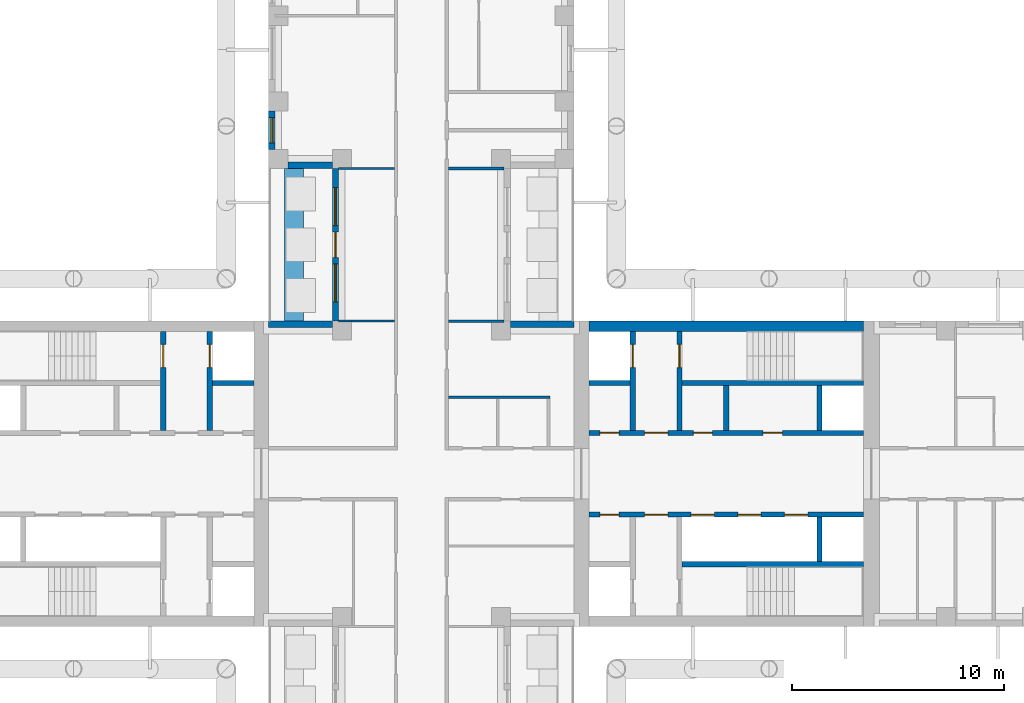
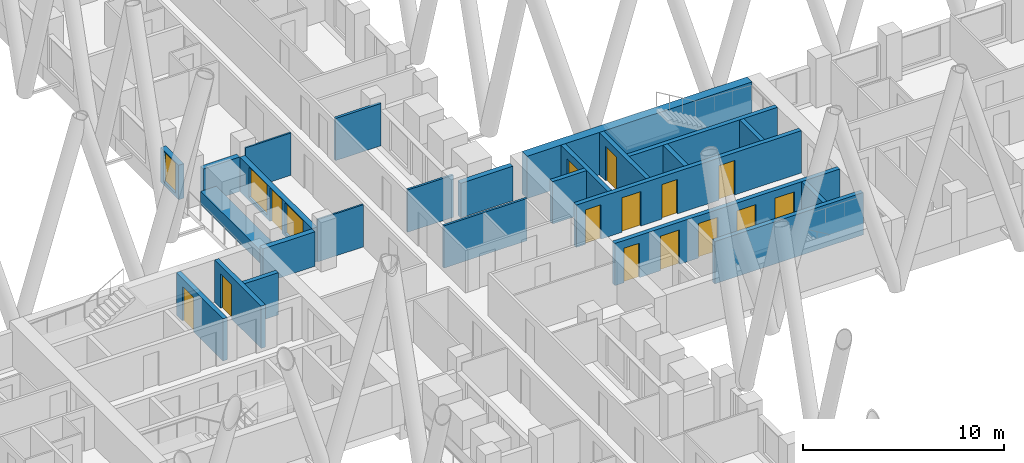
# One storey, part 9 of 16: 25 walls, 14 doors, 3 windows, 17 openings.
"""IFC4 building model written with IfcOpenShell, lengths in metres."""

from ifc_helpers import new_model, si_unit, direction, frame, frame_2d, origin, place, context, subcontext, project, spatial, rectangle, extrude, material, layer, layer_set, type_object, element, fill, save


model = new_model("IFC4")

# Units and contexts
model_context = context("Model", 3, precision=1e-05, world=origin(), true_north=direction((0.0, 1.0)))
body_context = subcontext(model_context, "Body", "Model", "MODEL_VIEW")
ifc_project = project(units=[si_unit("LENGTHUNIT", "METRE"), si_unit("AREAUNIT", "SQUARE_METRE"), si_unit("VOLUMEUNIT", "CUBIC_METRE"), si_unit("PLANEANGLEUNIT", "RADIAN"), si_unit("MASSUNIT", "GRAM", prefix="KILO")], contexts=[model_context])

# Site, building, storey
site_placement = place(None, origin())
site = spatial("IfcSite", under=ifc_project, at=site_placement, CompositionType="ELEMENT")
building_placement = place(site_placement, origin())
building = spatial("IfcBuilding", under=site, at=building_placement, Name="Fustian Cross Tower", CompositionType="ELEMENT")
storey_placement = place(building_placement, frame((0.0, 0.0, 44.699951171875)))
storey = spatial("IfcBuildingStorey", under=building, at=storey_placement, Name="L13", CompositionType="ELEMENT", Elevation=44.699951171875)

# Walls
ifc_material_1 = material(Name="Plasterboard on steel stud", Category="steel")
ifc_layer_1 = layer(ifc_material_1, 0.14990234375)
ifc_layer_set_1 = layer_set([ifc_layer_1], Name="Plasterboard on steel stud")
wall_type_1 = type_object("IfcWallType", Name="COMPARTMENT WALL 150 EI 60", PredefinedType="PARTITIONING", material=ifc_layer_set_1)
wall_1_placement = place(storey_placement, frame((1.27490234375, 14.39990234375, 0.0), z_axis=(0.0, 0.0, 1.0), x_axis=(1.0, 0.0, 0.0)))
element("IfcWall", 1, at=wall_1_placement, inside=storey, type_object=wall_type_1, Name="Partition 55", PredefinedType="PARTITIONING", context=body_context, shape_type="SweptSolid", body=[
    extrude(rectangle(XDim=2.625, YDim=0.14990234375, at=frame_2d((1.3125, 0.0))), origin(), (0.0, 0.0, 1.0), 2.574951171875),
])
ifc_material_2 = material(Name="Concrete C80/95", Category="concrete")
ifc_layer_2 = layer(ifc_material_2, 0.5)
ifc_layer_set_2 = layer_set([ifc_layer_2], Name="Concrete C80/95")
wall_type_2 = type_object("IfcWallType", Name="CORE FACADE WALL 500 C80/95", PredefinedType="SHEAR", material=ifc_layer_set_2)
wall_2_placement = place(storey_placement, frame((7.89990234375, 6.949951171875, 0.0), z_axis=(0.0, 0.0, 1.0), x_axis=(1.0, 0.0, 0.0)))
element("IfcWall", 2, at=wall_2_placement, inside=storey, type_object=wall_type_2, Name="Core facade wall", PredefinedType="SHEAR", context=body_context, shape_type="SweptSolid", body=[
    extrude(rectangle(XDim=12.9501953125, YDim=0.5, at=frame_2d((6.47509765625, 0.0))), origin(), (0.0, 0.0, 1.0), 2.574951171875),
])

# Wall, openings, doors
ifc_material_3 = material(Name="Concrete C50/60", Category="concrete")
ifc_layer_3 = layer(ifc_material_3, 0.25)
ifc_layer_set_3 = layer_set([ifc_layer_3], Name="Concrete C50/60")
wall_type_3 = type_object("IfcWallType", Name="CORE LOBBY WALL 250 C50/60", PredefinedType="SHEAR", material=ifc_layer_set_3)
wall_3_placement = place(storey_placement, frame((7.89990234375, 1.925048828125, 0.0), z_axis=(0.0, 0.0, 1.0), x_axis=(1.0, 0.0, 0.0)))
wall_3 = element("IfcWall", 3, at=wall_3_placement, inside=storey, type_object=wall_type_3, Name="Core lobby wall", PredefinedType="SHEAR", context=body_context, shape_type="SweptSolid", body=[
    extrude(rectangle(XDim=12.9501953125, YDim=0.25, at=frame_2d((6.47509765625, 0.0))), origin(), (0.0, 0.0, 1.0), 2.574951171875),
])
opening_1_placement = place(wall_3_placement, frame((0.52490234375, 0.0, 0.0)))
opening_1 = element("IfcOpeningElement", 4, at=opening_1_placement, cuts=wall_3, Name="Opening CD-05-08", PredefinedType="OPENING", context=body_context, shape_type="SweptSolid", body=[
    extrude(rectangle(XDim=0.89990234375, YDim=2.10009765625, at=frame_2d((0.449951171875, 1.050048828125))), frame((0.0, 0.135009765625, 0.0), z_axis=(0.0, -1.0, 0.0), x_axis=(1.0, 0.0, 0.0)), (0.0, 0.0, 1.0), 0.27001953125),
])
opening_2_placement = place(wall_3_placement, frame((2.625, 0.0, 0.0)))
opening_2 = element("IfcOpeningElement", 5, at=opening_2_placement, cuts=wall_3, Name="Opening CD-05-10", PredefinedType="OPENING", context=body_context, shape_type="SweptSolid", body=[
    extrude(rectangle(XDim=1.10009765625, YDim=2.10009765625, at=frame_2d((0.550048828125, 1.050048828125))), frame((0.0, 0.135009765625, 0.0), z_axis=(0.0, -1.0, 0.0), x_axis=(1.0, 0.0, 0.0)), (0.0, 0.0, 1.0), 0.27001953125),
])
opening_3_placement = place(wall_3_placement, frame((4.925048828125, 0.0, 0.0)))
opening_3 = element("IfcOpeningElement", 6, at=opening_3_placement, cuts=wall_3, Name="Opening CD-05-14", PredefinedType="OPENING", context=body_context, shape_type="SweptSolid", body=[
    extrude(rectangle(XDim=0.89990234375, YDim=2.10009765625, at=frame_2d((0.449951171875, 1.050048828125))), frame((0.0, 0.135009765625, 0.0), z_axis=(0.0, -1.0, 0.0), x_axis=(1.0, 0.0, 0.0)), (0.0, 0.0, 1.0), 0.27001953125),
])
opening_4_placement = place(wall_3_placement, frame((8.22509765625, 0.0, 0.0)))
opening_4 = element("IfcOpeningElement", 7, at=opening_4_placement, cuts=wall_3, Name="Opening CD-05-15", PredefinedType="OPENING", context=body_context, shape_type="SweptSolid", body=[
    extrude(rectangle(XDim=0.89990234375, YDim=2.10009765625, at=frame_2d((0.449951171875, 1.050048828125))), frame((0.0, 0.135009765625, 0.0), z_axis=(0.0, -1.0, 0.0), x_axis=(1.0, 0.0, 0.0)), (0.0, 0.0, 1.0), 0.27001953125),
])
ifc_material_4 = material(Name="Steel", Category="steel")
door_type_1 = type_object("IfcDoorType", Name="FIRE DOOR FD30S 900X2100", OperationType="SINGLE_SWING_LEFT", PredefinedType="DOOR", material=ifc_material_4)
door_1_placement = place(opening_3_placement, origin())
door_1 = element("IfcDoor", 8, at=door_1_placement, inside=storey, type_object=door_type_1, Name="Core door CD-05-14", OperationType="SINGLE_SWING_LEFT", OverallHeight=2.10009765625, OverallWidth=0.89990234375, PredefinedType="DOOR", context=body_context, shape_type="SweptSolid", body=[
    extrude(rectangle(XDim=0.89990234375, YDim=2.10009765625, at=frame_2d((0.449951171875, 1.050048828125))), frame((0.0, 0.02490234375, 0.0), z_axis=(0.0, -1.0, 0.0), x_axis=(1.0, 0.0, 0.0)), (0.0, 0.0, 1.0), 0.050048828125),
])
fill(opening_3, door_1)
door_2_placement = place(opening_4_placement, origin())
door_2 = element("IfcDoor", 9, at=door_2_placement, inside=storey, type_object=door_type_1, Name="Core door CD-05-15", OperationType="SINGLE_SWING_RIGHT", OverallHeight=2.10009765625, OverallWidth=0.89990234375, PredefinedType="DOOR", context=body_context, shape_type="SweptSolid", body=[
    extrude(rectangle(XDim=0.89990234375, YDim=2.10009765625, at=frame_2d((0.449951171875, 1.050048828125))), frame((0.0, 0.02490234375, 0.0), z_axis=(0.0, -1.0, 0.0), x_axis=(1.0, 0.0, 0.0)), (0.0, 0.0, 1.0), 0.050048828125),
])
fill(opening_4, door_2)
ifc_material_5 = material(Name="Steel", Category="steel")
door_type_2 = type_object("IfcDoorType", Name="FIRE DOOR FD60S 1100X2100", OperationType="SINGLE_SWING_LEFT", PredefinedType="DOOR", material=ifc_material_5)
door_3_placement = place(opening_2_placement, frame((1.10009765625, 0.0, 0.0), z_axis=(0.0, 0.0, 1.0), x_axis=(-1.0, 0.0, 0.0)))
door_3 = element("IfcDoor", 10, at=door_3_placement, inside=storey, type_object=door_type_2, Name="Core door CD-05-10", OperationType="SINGLE_SWING_RIGHT", OverallHeight=2.10009765625, OverallWidth=1.10009765625, PredefinedType="DOOR", context=body_context, shape_type="SweptSolid", body=[
    extrude(rectangle(XDim=1.10009765625, YDim=2.10009765625, at=frame_2d((0.550048828125, 1.050048828125))), frame((0.0, 0.02490234375, 0.0), z_axis=(0.0, -1.0, 0.0), x_axis=(1.0, 0.0, 0.0)), (0.0, 0.0, 1.0), 0.050048828125),
])
fill(opening_2, door_3)
ifc_material_6 = material(Name="Steel", Category="steel")
door_type_3 = type_object("IfcDoorType", Name="FIRE DOOR FD60S 900X2100", OperationType="SINGLE_SWING_LEFT", PredefinedType="DOOR", material=ifc_material_6)
door_4_placement = place(opening_1_placement, origin())
door_4 = element("IfcDoor", 11, at=door_4_placement, inside=storey, type_object=door_type_3, Name="Core door CD-05-08", OperationType="SINGLE_SWING_LEFT", OverallHeight=2.10009765625, OverallWidth=0.89990234375, PredefinedType="DOOR", context=body_context, shape_type="SweptSolid", body=[
    extrude(rectangle(XDim=0.89990234375, YDim=2.10009765625, at=frame_2d((0.449951171875, 1.050048828125))), frame((0.0, 0.02490234375, 0.0), z_axis=(0.0, -1.0, 0.0), x_axis=(1.0, 0.0, 0.0)), (0.0, 0.0, 1.0), 0.050048828125),
])
fill(opening_1, door_4)

wall_4_placement = place(storey_placement, frame((7.89990234375, -1.925048828125, 0.0), z_axis=(0.0, 0.0, 1.0), x_axis=(1.0, 0.0, 0.0)))
wall_4 = element("IfcWall", 12, at=wall_4_placement, inside=storey, type_object=wall_type_3, Name="Core lobby wall", PredefinedType="SHEAR", context=body_context, shape_type="SweptSolid", body=[
    extrude(rectangle(XDim=12.9501953125, YDim=0.25, at=frame_2d((6.47509765625, 0.0))), origin(), (0.0, 0.0, 1.0), 2.574951171875),
])
opening_5_placement = place(wall_4_placement, frame((4.824951171875, 0.0, 0.0)))
opening_5 = element("IfcOpeningElement", 13, at=opening_5_placement, cuts=wall_4, Name="Opening LD", PredefinedType="OPENING", context=body_context, shape_type="SweptSolid", body=[
    extrude(rectangle(XDim=1.10009765625, YDim=2.10009765625, at=frame_2d((0.550048828125, 1.050048828125))), frame((0.0, 0.135009765625, 0.0), z_axis=(0.0, -1.0, 0.0), x_axis=(1.0, 0.0, 0.0)), (0.0, 0.0, 1.0), 0.27001953125),
])
opening_6_placement = place(wall_4_placement, frame((7.02490234375, 0.0, 0.0)))
opening_6 = element("IfcOpeningElement", 14, at=opening_6_placement, cuts=wall_4, Name="Opening LD", PredefinedType="OPENING", context=body_context, shape_type="SweptSolid", body=[
    extrude(rectangle(XDim=1.10009765625, YDim=2.10009765625, at=frame_2d((0.550048828125, 1.050048828125))), frame((0.0, 0.135009765625, 0.0), z_axis=(0.0, -1.0, 0.0), x_axis=(1.0, 0.0, 0.0)), (0.0, 0.0, 1.0), 0.27001953125),
])
opening_7_placement = place(wall_4_placement, frame((9.22509765625, 0.0, 0.0)))
opening_7 = element("IfcOpeningElement", 15, at=opening_7_placement, cuts=wall_4, Name="Opening LD", PredefinedType="OPENING", context=body_context, shape_type="SweptSolid", body=[
    extrude(rectangle(XDim=1.10009765625, YDim=2.10009765625, at=frame_2d((0.550048828125, 1.050048828125))), frame((0.0, 0.135009765625, 0.0), z_axis=(0.0, -1.0, 0.0), x_axis=(1.0, 0.0, 0.0)), (0.0, 0.0, 1.0), 0.27001953125),
])
opening_8_placement = place(wall_4_placement, frame((0.52490234375, 0.0, 0.0)))
opening_8 = element("IfcOpeningElement", 16, at=opening_8_placement, cuts=wall_4, Name="Opening CD-05-09", PredefinedType="OPENING", context=body_context, shape_type="SweptSolid", body=[
    extrude(rectangle(XDim=0.89990234375, YDim=2.10009765625, at=frame_2d((0.449951171875, 1.050048828125))), frame((0.0, 0.135009765625, 0.0), z_axis=(0.0, -1.0, 0.0), x_axis=(1.0, 0.0, 0.0)), (0.0, 0.0, 1.0), 0.27001953125),
])
opening_9_placement = place(wall_4_placement, frame((2.625, 0.0, 0.0)))
opening_9 = element("IfcOpeningElement", 17, at=opening_9_placement, cuts=wall_4, Name="Opening CD-05-11", PredefinedType="OPENING", context=body_context, shape_type="SweptSolid", body=[
    extrude(rectangle(XDim=1.10009765625, YDim=2.10009765625, at=frame_2d((0.550048828125, 1.050048828125))), frame((0.0, 0.135009765625, 0.0), z_axis=(0.0, -1.0, 0.0), x_axis=(1.0, 0.0, 0.0)), (0.0, 0.0, 1.0), 0.27001953125),
])
ifc_material_7 = material(Name="Steel", Category="steel")
door_type_4 = type_object("IfcDoorType", Name="FIRE DOOR FD30S 1100X2100", OperationType="SINGLE_SWING_LEFT", PredefinedType="DOOR", material=ifc_material_7)
door_5_placement = place(opening_9_placement, frame((1.10009765625, 0.0, 0.0), z_axis=(0.0, 0.0, 1.0), x_axis=(-1.0, 0.0, 0.0)))
door_5 = element("IfcDoor", 18, at=door_5_placement, inside=storey, type_object=door_type_4, Name="Core door CD-05-11", OperationType="SINGLE_SWING_RIGHT", OverallHeight=2.10009765625, OverallWidth=1.10009765625, PredefinedType="DOOR", context=body_context, shape_type="SweptSolid", body=[
    extrude(rectangle(XDim=1.10009765625, YDim=2.10009765625, at=frame_2d((0.550048828125, 1.050048828125))), frame((0.0, 0.02490234375, 0.0), z_axis=(0.0, -1.0, 0.0), x_axis=(1.0, 0.0, 0.0)), (0.0, 0.0, 1.0), 0.050048828125),
])
fill(opening_9, door_5)
door_6_placement = place(opening_8_placement, frame((0.89990234375, 0.0, 0.0), z_axis=(0.0, 0.0, 1.0), x_axis=(-1.0, 0.0, 0.0)))
door_6 = element("IfcDoor", 19, at=door_6_placement, inside=storey, type_object=door_type_1, Name="Core door CD-05-09", OperationType="SINGLE_SWING_RIGHT", OverallHeight=2.10009765625, OverallWidth=0.89990234375, PredefinedType="DOOR", context=body_context, shape_type="SweptSolid", body=[
    extrude(rectangle(XDim=0.89990234375, YDim=2.10009765625, at=frame_2d((0.449951171875, 1.050048828125))), frame((0.0, 0.02490234375, 0.0), z_axis=(0.0, -1.0, 0.0), x_axis=(1.0, 0.0, 0.0)), (0.0, 0.0, 1.0), 0.050048828125),
])
fill(opening_8, door_6)
ifc_material_8 = material(Name="Stainless steel", Category="steel")
door_type_5 = type_object("IfcDoorType", Name="LIFT LANDING DOOR 1100X2100", OperationType="SLIDING_TO_LEFT", PredefinedType="DOOR", material=ifc_material_8)
door_7_placement = place(opening_5_placement, origin())
door_7 = element("IfcDoor", 20, at=door_7_placement, inside=storey, type_object=door_type_5, Name="Landing door LR1", OperationType="SLIDING_TO_LEFT", OverallHeight=2.10009765625, OverallWidth=1.10009765625, PredefinedType="DOOR", context=body_context, shape_type="SweptSolid", body=[
    extrude(rectangle(XDim=1.10009765625, YDim=2.10009765625, at=frame_2d((0.550048828125, 1.050048828125))), frame((0.0, 0.02490234375, 0.0), z_axis=(0.0, -1.0, 0.0), x_axis=(1.0, 0.0, 0.0)), (0.0, 0.0, 1.0), 0.050048828125),
])
fill(opening_5, door_7)
door_8_placement = place(opening_6_placement, origin())
door_8 = element("IfcDoor", 21, at=door_8_placement, inside=storey, type_object=door_type_5, Name="Landing door LR2", OperationType="SLIDING_TO_LEFT", OverallHeight=2.10009765625, OverallWidth=1.10009765625, PredefinedType="DOOR", context=body_context, shape_type="SweptSolid", body=[
    extrude(rectangle(XDim=1.10009765625, YDim=2.10009765625, at=frame_2d((0.550048828125, 1.050048828125))), frame((0.0, 0.02490234375, 0.0), z_axis=(0.0, -1.0, 0.0), x_axis=(1.0, 0.0, 0.0)), (0.0, 0.0, 1.0), 0.050048828125),
])
fill(opening_6, door_8)
door_9_placement = place(opening_7_placement, origin())
door_9 = element("IfcDoor", 22, at=door_9_placement, inside=storey, type_object=door_type_5, Name="Landing door LR3", OperationType="SLIDING_TO_LEFT", OverallHeight=2.10009765625, OverallWidth=1.10009765625, PredefinedType="DOOR", context=body_context, shape_type="SweptSolid", body=[
    extrude(rectangle(XDim=1.10009765625, YDim=2.10009765625, at=frame_2d((0.550048828125, 1.050048828125))), frame((0.0, 0.02490234375, 0.0), z_axis=(0.0, -1.0, 0.0), x_axis=(1.0, 0.0, 0.0)), (0.0, 0.0, 1.0), 0.050048828125),
])
fill(opening_7, door_9)

# Walls
ifc_material_9 = material(Name="Concrete C50/60", Category="concrete")
ifc_layer_4 = layer(ifc_material_9, 0.25)
ifc_layer_set_4 = layer_set([ifc_layer_4], Name="Concrete C50/60")
wall_type_4 = type_object("IfcWallType", Name="CORE SHAFT WALL 250 C50/60", PredefinedType="SHEAR", material=ifc_layer_set_4)
wall_5_placement = place(storey_placement, frame((7.89990234375, 4.27490234375, 0.0), z_axis=(0.0, 0.0, 1.0), x_axis=(1.0, 0.0, 0.0)))
element("IfcWall", 23, at=wall_5_placement, inside=storey, type_object=wall_type_4, Name="Core shaft wall", PredefinedType="SHEAR", context=body_context, shape_type="SweptSolid", body=[
    extrude(rectangle(XDim=1.9501953125, YDim=0.25, at=frame_2d((0.97509765625, 0.0))), origin(), (0.0, 0.0, 1.0), 2.574951171875),
])
wall_6_placement = place(storey_placement, frame((12.300048828125, 4.27490234375, 0.0), z_axis=(0.0, 0.0, 1.0), x_axis=(1.0, 0.0, 0.0)))
element("IfcWall", 24, at=wall_6_placement, inside=storey, type_object=wall_type_4, Name="Core shaft wall", PredefinedType="SHEAR", context=body_context, shape_type="SweptSolid", body=[
    extrude(rectangle(XDim=8.550048828125, YDim=0.25, at=frame_2d((4.27490234375, 0.0))), origin(), (0.0, 0.0, 1.0), 2.574951171875),
])

# Wall, opening, door
wall_7_placement = place(storey_placement, frame((9.97509765625, 2.050048828125, 0.0), z_axis=(0.0, 0.0, 1.0), x_axis=(0.0, 1.0, 0.0)))
wall_7 = element("IfcWall", 25, at=wall_7_placement, inside=storey, type_object=wall_type_4, Name="Core shaft wall", PredefinedType="SHEAR", context=body_context, shape_type="SweptSolid", body=[
    extrude(rectangle(XDim=4.64990234375, YDim=0.25, at=frame_2d((2.324951171875, 0.0))), origin(), (0.0, 0.0, 1.0), 2.574951171875),
])
opening_10_placement = place(wall_7_placement, frame((2.949951171875, 0.0, 0.0)))
opening_10 = element("IfcOpeningElement", 26, at=opening_10_placement, cuts=wall_7, Name="Opening LD", PredefinedType="OPENING", context=body_context, shape_type="SweptSolid", body=[
    extrude(rectangle(XDim=1.10009765625, YDim=2.10009765625, at=frame_2d((0.550048828125, 1.050048828125))), frame((0.0, 0.135009765625, 0.0), z_axis=(0.0, -1.0, 0.0), x_axis=(1.0, 0.0, 0.0)), (0.0, 0.0, 1.0), 0.27001953125),
])
door_10_placement = place(opening_10_placement, origin())
door_10 = element("IfcDoor", 27, at=door_10_placement, inside=storey, type_object=door_type_5, Name="Landing door FL1", OperationType="SLIDING_TO_LEFT", OverallHeight=2.10009765625, OverallWidth=1.10009765625, PredefinedType="DOOR", context=body_context, shape_type="SweptSolid", body=[
    extrude(rectangle(XDim=1.10009765625, YDim=2.10009765625, at=frame_2d((0.550048828125, 1.050048828125))), frame((0.0, 0.02490234375, 0.0), z_axis=(0.0, -1.0, 0.0), x_axis=(1.0, 0.0, 0.0)), (0.0, 0.0, 1.0), 0.050048828125),
])
fill(opening_10, door_10)

wall_8_placement = place(storey_placement, frame((12.175048828125, 2.050048828125, 0.0), z_axis=(0.0, 0.0, 1.0), x_axis=(0.0, 1.0, 0.0)))
wall_8 = element("IfcWall", 28, at=wall_8_placement, inside=storey, type_object=wall_type_4, Name="Core shaft wall", PredefinedType="SHEAR", context=body_context, shape_type="SweptSolid", body=[
    extrude(rectangle(XDim=4.64990234375, YDim=0.25, at=frame_2d((2.324951171875, 0.0))), origin(), (0.0, 0.0, 1.0), 2.574951171875),
])
opening_11_placement = place(wall_8_placement, frame((2.949951171875, 0.0, 0.0)))
opening_11 = element("IfcOpeningElement", 29, at=opening_11_placement, cuts=wall_8, Name="Opening CD-05-06", PredefinedType="OPENING", context=body_context, shape_type="SweptSolid", body=[
    extrude(rectangle(XDim=1.10009765625, YDim=2.10009765625, at=frame_2d((0.550048828125, 1.050048828125))), frame((0.0, 0.135009765625, 0.0), z_axis=(0.0, -1.0, 0.0), x_axis=(1.0, 0.0, 0.0)), (0.0, 0.0, 1.0), 0.27001953125),
])
door_11_placement = place(opening_11_placement, frame((1.10009765625, 0.0, 0.0), z_axis=(0.0, 0.0, 1.0), x_axis=(-1.0, 0.0, 0.0)))
door_11 = element("IfcDoor", 30, at=door_11_placement, inside=storey, type_object=door_type_2, Name="Core door CD-05-06", OperationType="SINGLE_SWING_RIGHT", OverallHeight=2.10009765625, OverallWidth=1.10009765625, PredefinedType="DOOR", context=body_context, shape_type="SweptSolid", body=[
    extrude(rectangle(XDim=1.10009765625, YDim=2.10009765625, at=frame_2d((0.550048828125, 1.050048828125))), frame((0.0, 0.02490234375, 0.0), z_axis=(0.0, -1.0, 0.0), x_axis=(1.0, 0.0, 0.0)), (0.0, 0.0, 1.0), 0.050048828125),
])
fill(opening_11, door_11)

# Walls
wall_9_placement = place(storey_placement, frame((12.300048828125, -4.27490234375, 0.0), z_axis=(0.0, 0.0, 1.0), x_axis=(1.0, 0.0, 0.0)))
element("IfcWall", 31, at=wall_9_placement, inside=storey, type_object=wall_type_4, Name="Core shaft wall", PredefinedType="SHEAR", context=body_context, shape_type="SweptSolid", body=[
    extrude(rectangle(XDim=8.550048828125, YDim=0.25, at=frame_2d((4.27490234375, 0.0))), origin(), (0.0, 0.0, 1.0), 2.574951171875),
])
wall_10_placement = place(storey_placement, frame((-7.89990234375, 4.27490234375, 0.0), z_axis=(0.0, 0.0, 1.0), x_axis=(-1.0, 0.0, 0.0)))
element("IfcWall", 32, at=wall_10_placement, inside=storey, type_object=wall_type_4, Name="Core shaft wall", PredefinedType="SHEAR", context=body_context, shape_type="SweptSolid", body=[
    extrude(rectangle(XDim=1.9501953125, YDim=0.25, at=frame_2d((0.97509765625, 0.0))), origin(), (0.0, 0.0, 1.0), 2.574951171875),
])

# Wall, opening, door
wall_11_placement = place(storey_placement, frame((-9.97509765625, 2.050048828125, 0.0), z_axis=(0.0, 0.0, 1.0), x_axis=(0.0, 1.0, 0.0)))
wall_11 = element("IfcWall", 33, at=wall_11_placement, inside=storey, type_object=wall_type_4, Name="Core shaft wall", PredefinedType="SHEAR", context=body_context, shape_type="SweptSolid", body=[
    extrude(rectangle(XDim=4.64990234375, YDim=0.25, at=frame_2d((2.324951171875, 0.0))), origin(), (0.0, 0.0, 1.0), 2.574951171875),
])
opening_12_placement = place(wall_11_placement, frame((2.949951171875, 0.0, 0.0)))
opening_12 = element("IfcOpeningElement", 34, at=opening_12_placement, cuts=wall_11, Name="Opening LD", PredefinedType="OPENING", context=body_context, shape_type="SweptSolid", body=[
    extrude(rectangle(XDim=1.10009765625, YDim=2.10009765625, at=frame_2d((0.550048828125, 1.050048828125))), frame((0.0, 0.135009765625, 0.0), z_axis=(0.0, -1.0, 0.0), x_axis=(1.0, 0.0, 0.0)), (0.0, 0.0, 1.0), 0.27001953125),
])
door_12_placement = place(opening_12_placement, origin())
door_12 = element("IfcDoor", 35, at=door_12_placement, inside=storey, type_object=door_type_5, Name="Landing door FL1W", OperationType="SLIDING_TO_LEFT", OverallHeight=2.10009765625, OverallWidth=1.10009765625, PredefinedType="DOOR", context=body_context, shape_type="SweptSolid", body=[
    extrude(rectangle(XDim=1.10009765625, YDim=2.10009765625, at=frame_2d((0.550048828125, 1.050048828125))), frame((0.0, 0.02490234375, 0.0), z_axis=(0.0, -1.0, 0.0), x_axis=(1.0, 0.0, 0.0)), (0.0, 0.0, 1.0), 0.050048828125),
])
fill(opening_12, door_12)

wall_12_placement = place(storey_placement, frame((-12.175048828125, 2.050048828125, 0.0), z_axis=(0.0, 0.0, 1.0), x_axis=(0.0, 1.0, 0.0)))
wall_12 = element("IfcWall", 36, at=wall_12_placement, inside=storey, type_object=wall_type_4, Name="Core shaft wall", PredefinedType="SHEAR", context=body_context, shape_type="SweptSolid", body=[
    extrude(rectangle(XDim=4.64990234375, YDim=0.25, at=frame_2d((2.324951171875, 0.0))), origin(), (0.0, 0.0, 1.0), 2.574951171875),
])
opening_13_placement = place(wall_12_placement, frame((2.949951171875, 0.0, 0.0)))
opening_13 = element("IfcOpeningElement", 37, at=opening_13_placement, cuts=wall_12, Name="Opening CD-05-21", PredefinedType="OPENING", context=body_context, shape_type="SweptSolid", body=[
    extrude(rectangle(XDim=1.10009765625, YDim=2.10009765625, at=frame_2d((0.550048828125, 1.050048828125))), frame((0.0, 0.135009765625, 0.0), z_axis=(0.0, -1.0, 0.0), x_axis=(1.0, 0.0, 0.0)), (0.0, 0.0, 1.0), 0.27001953125),
])
door_13_placement = place(opening_13_placement, origin())
door_13 = element("IfcDoor", 38, at=door_13_placement, inside=storey, type_object=door_type_2, Name="Core door CD-05-21", OperationType="SINGLE_SWING_LEFT", OverallHeight=2.10009765625, OverallWidth=1.10009765625, PredefinedType="DOOR", context=body_context, shape_type="SweptSolid", body=[
    extrude(rectangle(XDim=1.10009765625, YDim=2.10009765625, at=frame_2d((0.550048828125, 1.050048828125))), frame((0.0, 0.02490234375, 0.0), z_axis=(0.0, -1.0, 0.0), x_axis=(1.0, 0.0, 0.0)), (0.0, 0.0, 1.0), 0.050048828125),
])
fill(opening_13, door_13)

# Walls
ifc_material_10 = material(Name="Plasterboard on steel stud", Category="steel")
ifc_layer_5 = layer(ifc_material_10, 0.10009765625)
ifc_layer_set_5 = layer_set([ifc_layer_5], Name="Plasterboard on steel stud")
wall_type_5 = type_object("IfcWallType", Name="PARTITION 100 STUD", PredefinedType="PARTITIONING", material=ifc_layer_set_5)
for number, where, z_axis, x_axis, name in (
    (39, (-3.89990234375, 7.199951171875, 0.0), (0.0, 0.0, 1.0), (1.0, 0.0, 0.0), "Partition 32"),
    (40, (-3.89990234375, 14.39990234375, 0.0), (0.0, 0.0, 1.0), (1.0, 0.0, 0.0), "Partition 33"),
):
    element("IfcWall", number, at=place(storey_placement, frame(where, z_axis=z_axis, x_axis=x_axis)), inside=storey, type_object=wall_type_5, Name=name, PredefinedType="PARTITIONING", context=body_context, shape_type="SweptSolid", body=[
        extrude(rectangle(XDim=2.625, YDim=0.10009765625, at=frame_2d((1.3125, 0.0))), origin(), (0.0, 0.0, 1.0), 2.574951171875),
    ])
ifc_material_11 = material(Name="Concrete C40/50", Category="concrete")
ifc_layer_6 = layer(ifc_material_11, 0.89990234375)
ifc_layer_set_6 = layer_set([ifc_layer_6], Name="Concrete C40/50")
wall_type_6 = type_object("IfcWallType", Name="PK1 PLANTER 900", PredefinedType="PARAPET", material=ifc_layer_set_6)
wall_13_placement = place(storey_placement, frame((-6.0, 7.199951171875, 0.0), z_axis=(0.0, 0.0, 1.0), x_axis=(0.0, 1.0, 0.0)))
element("IfcWall", 41, at=wall_13_placement, inside=storey, type_object=wall_type_6, Name="PLANTER", PredefinedType="PARAPET", context=body_context, shape_type="SweptSolid", body=[
    extrude(rectangle(XDim=7.199951171875, YDim=0.89990234375, at=frame_2d((3.60009765625, 0.0))), origin(), (0.0, 0.0, 1.0), 0.800048828125),
])
ifc_material_12 = material(Name="Concrete C40/50", Category="concrete")
ifc_layer_7 = layer(ifc_material_12, 0.25)
ifc_layer_set_7 = layer_set([ifc_layer_7], Name="Concrete C40/50")
wall_type_7 = type_object("IfcWallType", Name="SHAFT PARTITION WALL 250 C40/50", PredefinedType="PARTITIONING", material=ifc_layer_set_7)
for number, where, z_axis, x_axis, name in (
    (42, (14.375, 2.050048828125, 0.0), (0.0, 0.0, 1.0), (0.0, 1.0, 0.0), "Core shaft wall"),
    (43, (18.77490234375, 2.050048828125, 0.0), (0.0, 0.0, 1.0), (0.0, 1.0, 0.0), "Core shaft wall"),
    (44, (18.77490234375, -2.050048828125, 0.0), (0.0, 0.0, 1.0), (0.0, -1.0, 0.0), "Core shaft wall"),
):
    element("IfcWall", number, at=place(storey_placement, frame(where, z_axis=z_axis, x_axis=x_axis)), inside=storey, type_object=wall_type_7, Name=name, PredefinedType="PARTITIONING", context=body_context, shape_type="SweptSolid", body=[
        extrude(rectangle(XDim=2.099853515625, YDim=0.25, at=frame_2d((1.0498046875, 0.0))), origin(), (0.0, 0.0, 1.0), 2.574951171875),
    ])
ifc_material_13 = material(Name="Plasterboard on steel stud", Category="steel")
ifc_layer_8 = layer(ifc_material_13, 0.125)
ifc_layer_set_8 = layer_set([ifc_layer_8], Name="Plasterboard on steel stud")
wall_type_8 = type_object("IfcWallType", Name="WET WALL 125 STUD", PredefinedType="PARTITIONING", material=ifc_layer_set_8)
wall_14_placement = place(storey_placement, frame((1.27490234375, 3.60009765625, 0.0), z_axis=(0.0, 0.0, 1.0), x_axis=(1.0, 0.0, 0.0)))
element("IfcWall", 45, at=wall_14_placement, inside=storey, type_object=wall_type_8, Name="Partition 53", PredefinedType="PARTITIONING", context=body_context, shape_type="SweptSolid", body=[
    extrude(rectangle(XDim=4.78759765625, YDim=0.125, at=frame_2d((2.393798828125, 0.0))), origin(), (0.0, 0.0, 1.0), 2.574951171875),
])
wall_15_placement = place(storey_placement, frame((1.27490234375, 7.199951171875, 0.0), z_axis=(0.0, 0.0, 1.0), x_axis=(1.0, 0.0, 0.0)))
element("IfcWall", 46, at=wall_15_placement, inside=storey, type_object=wall_type_8, Name="Partition 54", PredefinedType="PARTITIONING", context=body_context, shape_type="SweptSolid", body=[
    extrude(rectangle(XDim=2.625, YDim=0.125, at=frame_2d((1.3125, 0.0))), origin(), (0.0, 0.0, 1.0), 2.574951171875),
])
ifc_material_14 = material(Name="Dark aluminium cladding on insulated backing wall", Category="aluminium")
ifc_layer_9 = layer(ifc_material_14, 0.300048828125)
ifc_layer_set_9 = layer_set([ifc_layer_9], Name="Dark aluminium cladding on insulated backing wall")
wall_type_9 = type_object("IfcWallType", Name="XW1 EXTERNAL WALL 300", PredefinedType="SOLIDWALL", material=ifc_layer_set_9)
wall_16_placement = place(storey_placement, frame((7.199951171875, 7.050048828125, 0.0), z_axis=(0.0, 0.0, 1.0), x_axis=(-1.0, 0.0, 0.0)))
element("IfcWall", 47, at=wall_16_placement, inside=storey, type_object=wall_type_9, Name="External wall", PredefinedType="SOLIDWALL", context=body_context, shape_type="SweptSolid", body=[
    extrude(rectangle(XDim=3.0, YDim=0.300048828125, at=frame_2d((1.5, 0.0))), origin(), (0.0, 0.0, 1.0), 2.10009765625),
])

# Wall, opening, window
wall_17_placement = place(storey_placement, frame((-7.050048828125, 17.10009765625, 0.0), z_axis=(0.0, 0.0, 1.0), x_axis=(0.0, -1.0, 0.0)))
wall_17 = element("IfcWall", 48, at=wall_17_placement, inside=storey, type_object=wall_type_9, Name="External wall", PredefinedType="SOLIDWALL", context=body_context, shape_type="SweptSolid", body=[
    extrude(rectangle(XDim=1.800048828125, YDim=0.300048828125, at=frame_2d((0.89990234375, 0.0))), origin(), (0.0, 0.0, 1.0), 2.10009765625),
])
opening_14_placement = place(wall_17_placement, frame((0.300048828125, 0.0, 0.199951171875)))
opening_14 = element("IfcOpeningElement", 49, at=opening_14_placement, cuts=wall_17, Name="Opening WN3", PredefinedType="OPENING", context=body_context, shape_type="SweptSolid", body=[
    extrude(rectangle(XDim=1.199951171875, YDim=1.85009765625, at=frame_2d((0.60009765625, 0.925048828125))), frame((0.0, 0.159912109375, 0.0), z_axis=(0.0, -1.0, 0.0), x_axis=(1.0, 0.0, 0.0)), (0.0, 0.0, 1.0), 0.320068359375),
])
ifc_material_15 = material(Name="Dark anodised aluminium and double glazing", Category="aluminium")
window_type_1 = type_object("IfcWindowType", Name="WN3 WINDOW 1200X1850", PartitioningType="SINGLE_PANEL", PredefinedType="WINDOW", material=ifc_material_15)
window_1_placement = place(opening_14_placement, origin())
window_1 = element("IfcWindow", 50, at=window_1_placement, inside=storey, type_object=window_type_1, Name="Window", OverallHeight=1.85009765625, OverallWidth=1.199951171875, PartitioningType="SINGLE_PANEL", PredefinedType="WINDOW", context=body_context, shape_type="SweptSolid", body=[
    extrude(rectangle(XDim=1.199951171875, YDim=1.85009765625, at=frame_2d((0.60009765625, 0.925048828125))), frame((0.0, 0.030029296875, 0.0), z_axis=(0.0, -1.0, 0.0), x_axis=(1.0, 0.0, 0.0)), (0.0, 0.0, 1.0), 0.06005859375),
])
fill(opening_14, window_1)

# Wall
wall_18_placement = place(storey_placement, frame((-6.300048828125, 14.550048828125, 0.0), z_axis=(0.0, 0.0, 1.0), x_axis=(1.0, 0.0, 0.0)))
element("IfcWall", 51, at=wall_18_placement, inside=storey, type_object=wall_type_9, Name="External wall", PredefinedType="SOLIDWALL", context=body_context, shape_type="SweptSolid", body=[
    extrude(rectangle(XDim=2.10009765625, YDim=0.300048828125, at=frame_2d((1.050048828125, 0.0))), origin(), (0.0, 0.0, 1.0), 2.10009765625),
])

# Wall, openings, door, windows
wall_19_placement = place(storey_placement, frame((-4.050048828125, 14.39990234375, 0.0), z_axis=(0.0, 0.0, 1.0), x_axis=(0.0, -1.0, 0.0)))
wall_19 = element("IfcWall", 52, at=wall_19_placement, inside=storey, type_object=wall_type_9, Name="External wall", PredefinedType="SOLIDWALL", context=body_context, shape_type="SweptSolid", body=[
    extrude(rectangle(XDim=7.199951171875, YDim=0.300048828125, at=frame_2d((3.60009765625, 0.0))), origin(), (0.0, 0.0, 1.0), 2.10009765625),
])
opening_15_placement = place(wall_19_placement, frame((3.0, 0.0, 0.0)))
opening_15 = element("IfcOpeningElement", 53, at=opening_15_placement, cuts=wall_19, Name="Opening XD2", PredefinedType="OPENING", context=body_context, shape_type="SweptSolid", body=[
    extrude(rectangle(XDim=1.199951171875, YDim=2.050048828125, at=frame_2d((0.60009765625, 1.02490234375))), frame((0.0, 0.159912109375, 0.0), z_axis=(0.0, -1.0, 0.0), x_axis=(1.0, 0.0, 0.0)), (0.0, 0.0, 1.0), 0.320068359375),
])
opening_16_placement = place(wall_19_placement, frame((0.89990234375, 0.0, 0.199951171875)))
opening_16 = element("IfcOpeningElement", 54, at=opening_16_placement, cuts=wall_19, Name="Opening WN2", PredefinedType="OPENING", context=body_context, shape_type="SweptSolid", body=[
    extrude(rectangle(XDim=1.800048828125, YDim=1.85009765625, at=frame_2d((0.89990234375, 0.925048828125))), frame((0.0, 0.159912109375, 0.0), z_axis=(0.0, -1.0, 0.0), x_axis=(1.0, 0.0, 0.0)), (0.0, 0.0, 1.0), 0.320068359375),
])
opening_17_placement = place(wall_19_placement, frame((4.5, 0.0, 0.199951171875)))
opening_17 = element("IfcOpeningElement", 55, at=opening_17_placement, cuts=wall_19, Name="Opening WN2", PredefinedType="OPENING", context=body_context, shape_type="SweptSolid", body=[
    extrude(rectangle(XDim=1.800048828125, YDim=1.85009765625, at=frame_2d((0.89990234375, 0.925048828125))), frame((0.0, 0.159912109375, 0.0), z_axis=(0.0, -1.0, 0.0), x_axis=(1.0, 0.0, 0.0)), (0.0, 0.0, 1.0), 0.320068359375),
])
ifc_material_16 = material(Name="Dark anodised aluminium and double glazing", Category="aluminium")
door_type_6 = type_object("IfcDoorType", Name="ED1 BALCONY DOOR 1200X2050", OperationType="SINGLE_SWING_LEFT", PredefinedType="DOOR", material=ifc_material_16)
door_14_placement = place(opening_15_placement, origin())
door_14 = element("IfcDoor", 56, at=door_14_placement, inside=storey, type_object=door_type_6, Name="Balcony door", OperationType="SINGLE_SWING_LEFT", OverallHeight=2.050048828125, OverallWidth=1.199951171875, PredefinedType="DOOR", context=body_context, shape_type="SweptSolid", body=[
    extrude(rectangle(XDim=1.199951171875, YDim=2.050048828125, at=frame_2d((0.60009765625, 1.02490234375))), frame((0.0, 0.02490234375, 0.0), z_axis=(0.0, -1.0, 0.0), x_axis=(1.0, 0.0, 0.0)), (0.0, 0.0, 1.0), 0.050048828125),
])
fill(opening_15, door_14)
ifc_material_17 = material(Name="Dark anodised aluminium and double glazing", Category="aluminium")
window_type_2 = type_object("IfcWindowType", Name="WN2 WINDOW 1800X1850", PartitioningType="SINGLE_PANEL", PredefinedType="WINDOW", material=ifc_material_17)
window_2_placement = place(opening_16_placement, origin())
window_2 = element("IfcWindow", 57, at=window_2_placement, inside=storey, type_object=window_type_2, Name="Window", OverallHeight=1.85009765625, OverallWidth=1.800048828125, PartitioningType="SINGLE_PANEL", PredefinedType="WINDOW", context=body_context, shape_type="SweptSolid", body=[
    extrude(rectangle(XDim=1.800048828125, YDim=1.85009765625, at=frame_2d((0.89990234375, 0.925048828125))), frame((0.0, 0.030029296875, 0.0), z_axis=(0.0, -1.0, 0.0), x_axis=(1.0, 0.0, 0.0)), (0.0, 0.0, 1.0), 0.06005859375),
])
fill(opening_16, window_2)
window_3_placement = place(opening_17_placement, origin())
window_3 = element("IfcWindow", 58, at=window_3_placement, inside=storey, type_object=window_type_2, Name="Window", OverallHeight=1.85009765625, OverallWidth=1.800048828125, PartitioningType="SINGLE_PANEL", PredefinedType="WINDOW", context=body_context, shape_type="SweptSolid", body=[
    extrude(rectangle(XDim=1.800048828125, YDim=1.85009765625, at=frame_2d((0.89990234375, 0.925048828125))), frame((0.0, 0.030029296875, 0.0), z_axis=(0.0, -1.0, 0.0), x_axis=(1.0, 0.0, 0.0)), (0.0, 0.0, 1.0), 0.06005859375),
])
fill(opening_17, window_3)

# Wall
wall_20_placement = place(storey_placement, frame((-4.199951171875, 7.050048828125, 0.0), z_axis=(0.0, 0.0, 1.0), x_axis=(-1.0, 0.0, 0.0)))
element("IfcWall", 59, at=wall_20_placement, inside=storey, type_object=wall_type_9, Name="External wall", PredefinedType="SOLIDWALL", context=body_context, shape_type="SweptSolid", body=[
    extrude(rectangle(XDim=3.0, YDim=0.300048828125, at=frame_2d((1.5, 0.0))), origin(), (0.0, 0.0, 1.0), 2.10009765625),
])

save(model, "model.ifc")
